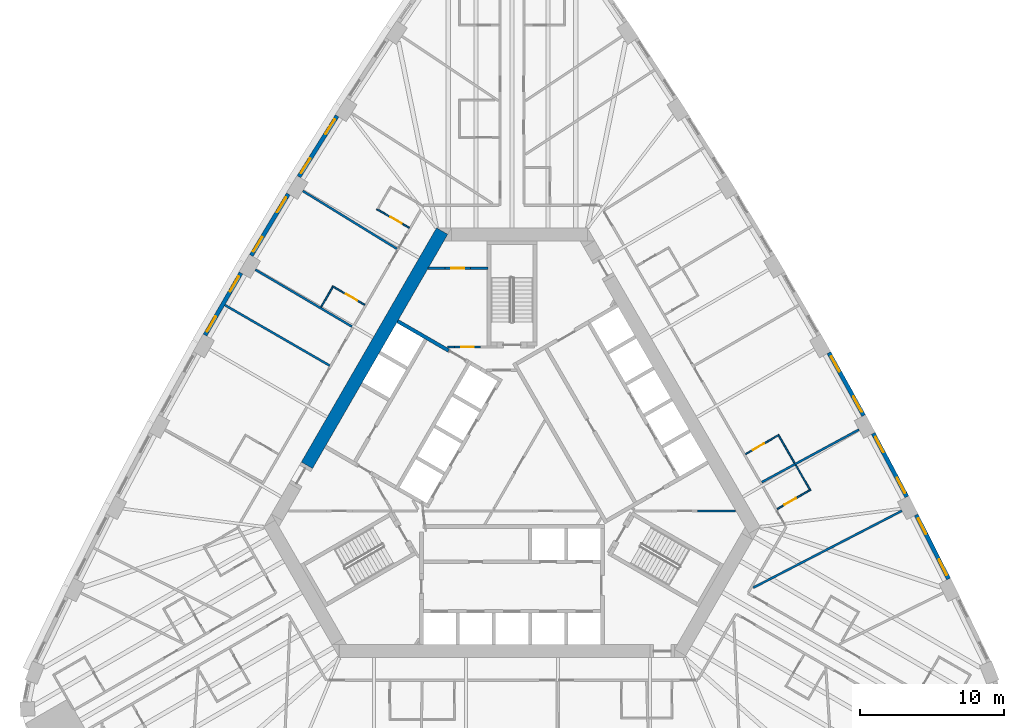
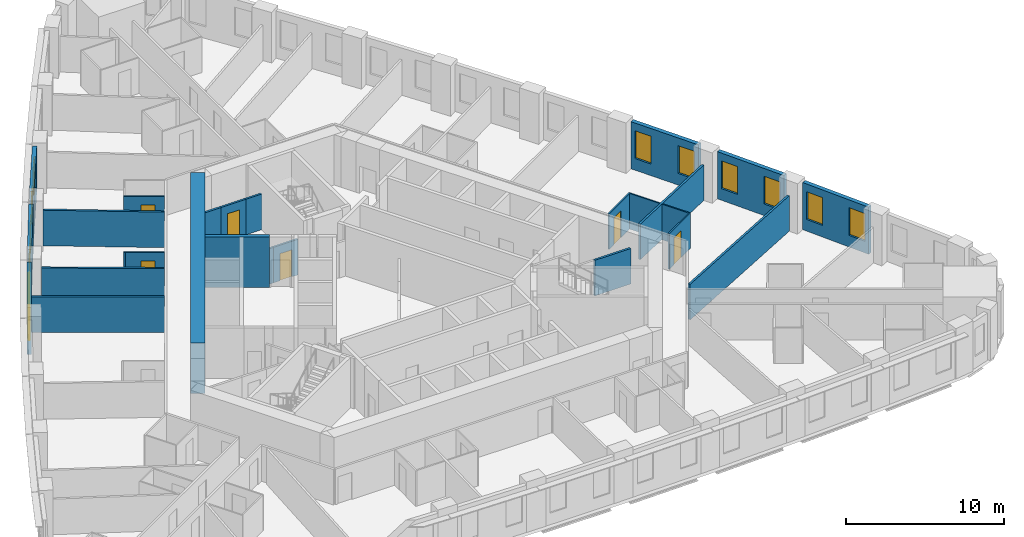
# One storey, part 9 of 13: 26 walls, 12 windows, 6 doors, 18 openings.
"""IFC4 building model written with IfcOpenShell, lengths in metres."""

from ifc_helpers import new_model, si_unit, direction, frame, frame_2d, origin, place, context, subcontext, project, spatial, rectangle, extrude, material, layer, layer_set, type_object, element, fill, save


model = new_model("IFC4")

# Units and contexts
model_context = context("Model", 3, precision=1e-05, world=origin(), true_north=direction((0.0, 1.0)))
body_context = subcontext(model_context, "Body", "Model", "MODEL_VIEW")
ifc_project = project(units=[si_unit("LENGTHUNIT", "METRE"), si_unit("AREAUNIT", "SQUARE_METRE"), si_unit("VOLUMEUNIT", "CUBIC_METRE"), si_unit("PLANEANGLEUNIT", "RADIAN"), si_unit("MASSUNIT", "GRAM", prefix="KILO")], contexts=[model_context])

# Site, building, storey
site_placement = place(None, origin())
site = spatial("IfcSite", under=ifc_project, at=site_placement, CompositionType="ELEMENT")
building_placement = place(site_placement, origin())
building = spatial("IfcBuilding", under=site, at=building_placement, Name="Mestral Congress Tower", CompositionType="ELEMENT")
storey_placement = place(building_placement, frame((0.0, 0.0, 58.800048828125)))
storey = spatial("IfcBuildingStorey", under=building, at=storey_placement, Name="L13", CompositionType="ELEMENT", Elevation=58.800048828125)

# Walls
ifc_material_1 = material(Name="Fire-rated board partition")
ifc_layer_1 = layer(ifc_material_1, 0.14990234375)
ifc_layer_set_1 = layer_set([ifc_layer_1], Name="Fire-rated board partition")
wall_type_1 = type_object("IfcWallType", Name="Core partition 150", PredefinedType="PARTITIONING", material=ifc_layer_set_1)
wall_1_placement = place(storey_placement, frame((-3.99658203125, 8.625244140625, 0.0), z_axis=(0.0, 0.0, 1.0), x_axis=(-1.0, 0.0, 0.0)))
element("IfcWall", 1, at=wall_1_placement, inside=storey, type_object=wall_type_1, Name="L13 core wall", PredefinedType="PARTITIONING", context=body_context, shape_type="SweptSolid", body=[
    extrude(rectangle(XDim=0.502197265625, YDim=0.14990234375, at=frame_2d((0.2509765625, 0.0))), origin(), (0.0, 0.0, 1.0), 2.75),
])
wall_2_placement = place(storey_placement, frame((-5.85107421875, 14.10205078125, 0.0), z_axis=(0.0, 0.0, 1.0), x_axis=(1.0, 0.0, 0.0)))
element("IfcWall", 2, at=wall_2_placement, inside=storey, type_object=wall_type_1, Name="L13 core wall", PredefinedType="PARTITIONING", context=body_context, shape_type="SweptSolid", body=[
    extrude(rectangle(XDim=1.18017578125, YDim=0.14990234375, at=frame_2d((0.590087890625, 0.0))), origin(), (0.0, 0.0, 1.0), 2.75),
])
wall_3_placement = place(storey_placement, frame((12.914794921875, -2.800048828125, 0.0), z_axis=(0.0, 0.0, 1.0), x_axis=(1.0, 0.0, 0.0)))
element("IfcWall", 3, at=wall_3_placement, inside=storey, type_object=wall_type_1, Name="L13 core wall", PredefinedType="PARTITIONING", context=body_context, shape_type="SweptSolid", body=[
    extrude(rectangle(XDim=2.636962890625, YDim=0.14990234375, at=frame_2d((1.318359375, 0.0))), origin(), (0.0, 0.0, 1.0), 2.75),
])
wall_4_placement = place(storey_placement, frame((-2.87060546875, 14.10205078125, 0.0), z_axis=(0.0, 0.0, 1.0), x_axis=(1.0, 0.0, 0.0)))
element("IfcWall", 4, at=wall_4_placement, inside=storey, type_object=wall_type_1, Name="L13 core wall", PredefinedType="PARTITIONING", context=body_context, shape_type="SweptSolid", body=[
    extrude(rectangle(XDim=1.195556640625, YDim=0.14990234375, at=frame_2d((0.59765625, 0.0))), origin(), (0.0, 0.0, 1.0), 2.75),
])

# Wall, opening, door
wall_5_placement = place(storey_placement, frame((-2.1962890625, 8.625, 0.0), z_axis=(0.0, 0.0, 1.0), x_axis=(-1.0, 0.0, 0.0)))
wall_5 = element("IfcWall", 5, at=wall_5_placement, inside=storey, type_object=wall_type_1, Name="L13 door wall", PredefinedType="PARTITIONING", context=body_context, shape_type="SweptSolid", body=[
    extrude(rectangle(XDim=1.800048828125, YDim=0.14990234375, at=frame_2d((0.89990234375, 0.0))), origin(), (0.0, 0.0, 1.0), 2.75),
])
opening_1_placement = place(wall_5_placement, frame((0.449951171875, 0.0, 0.0)))
opening_1 = element("IfcOpeningElement", 6, at=opening_1_placement, cuts=wall_5, Name="Opening TD2", PredefinedType="OPENING", context=body_context, shape_type="SweptSolid", body=[
    extrude(rectangle(XDim=0.89990234375, YDim=2.10009765625, at=frame_2d((0.449951171875, 1.050048828125))), frame((0.0, 0.0849609375, 0.0), z_axis=(0.0, -1.0, 0.0), x_axis=(1.0, 0.0, 0.0)), (0.0, 0.0, 1.0), 0.169921875),
])
ifc_material_2 = material(Name="Fire-rated steel door set", Category="steel")
door_type_1 = type_object("IfcDoorType", Name="Core door SR 900x2100", OperationType="SINGLE_SWING_LEFT", PredefinedType="DOOR", material=ifc_material_2)
door_1_placement = place(opening_1_placement, origin())
door_1 = element("IfcDoor", 7, at=door_1_placement, inside=storey, type_object=door_type_1, Name="Door TD2", OperationType="SINGLE_SWING_LEFT", OverallHeight=2.10009765625, OverallWidth=0.89990234375, PredefinedType="DOOR", context=body_context, shape_type="SweptSolid", body=[
    extrude(rectangle(XDim=0.89990234375, YDim=2.10009765625, at=frame_2d((0.449951171875, 1.050048828125))), frame((0.0, 0.02490234375, 0.0), z_axis=(0.0, -1.0, 0.0), x_axis=(1.0, 0.0, 0.0)), (0.0, 0.0, 1.0), 0.050048828125),
])
fill(opening_1, door_1)

wall_6_placement = place(storey_placement, frame((-2.870849609375, 14.10205078125, 0.0), z_axis=(0.0, 0.0, 1.0), x_axis=(-1.0, 0.0, 0.0)))
wall_6 = element("IfcWall", 8, at=wall_6_placement, inside=storey, type_object=wall_type_1, Name="L13 door wall", PredefinedType="PARTITIONING", context=body_context, shape_type="SweptSolid", body=[
    extrude(rectangle(XDim=1.800048828125, YDim=0.14990234375, at=frame_2d((0.89990234375, 0.0))), origin(), (0.0, 0.0, 1.0), 2.75),
])
opening_2_placement = place(wall_6_placement, frame((0.449951171875, 0.0, 0.0)))
opening_2 = element("IfcOpeningElement", 9, at=opening_2_placement, cuts=wall_6, Name="Opening SD-WS2", PredefinedType="OPENING", context=body_context, shape_type="SweptSolid", body=[
    extrude(rectangle(XDim=0.89990234375, YDim=2.10009765625, at=frame_2d((0.449951171875, 1.050048828125))), frame((0.0, 0.0849609375, 0.0), z_axis=(0.0, -1.0, 0.0), x_axis=(1.0, 0.0, 0.0)), (0.0, 0.0, 1.0), 0.169921875),
])
door_2_placement = place(opening_2_placement, origin())
door_2 = element("IfcDoor", 10, at=door_2_placement, inside=storey, type_object=door_type_1, Name="Door SD-WS2", OperationType="SINGLE_SWING_LEFT", OverallHeight=2.10009765625, OverallWidth=0.89990234375, PredefinedType="DOOR", context=body_context, shape_type="SweptSolid", body=[
    extrude(rectangle(XDim=0.89990234375, YDim=2.10009765625, at=frame_2d((0.449951171875, 1.050048828125))), frame((0.0, 0.02490234375, 0.0), z_axis=(0.0, -1.0, 0.0), x_axis=(1.0, 0.0, 0.0)), (0.0, 0.0, 1.0), 0.050048828125),
])
fill(opening_2, door_2)

# Wall
ifc_material_3 = material(Name="Concrete C60/75", Category="concrete")
ifc_layer_2 = layer(ifc_material_3, 0.89990234375)
ifc_layer_set_2 = layer_set([ifc_layer_2], Name="Concrete C60/75")
wall_type_2 = type_object("IfcWallType", Name="Core wall RC 900", PredefinedType="SOLIDWALL", material=ifc_layer_set_2)
wall_7_placement = place(storey_placement, frame((-14.267822265625, 0.38720703125, 0.0), z_axis=(0.0, 0.0, 1.0), x_axis=(0.499994617707, 0.866028511231, 0.0)))
element("IfcWall", 11, at=wall_7_placement, inside=storey, type_object=wall_type_2, Name="L13 core wall", PredefinedType="SOLIDWALL", context=body_context, shape_type="SweptSolid", body=[
    extrude(rectangle(XDim=18.817138671875, YDim=0.89990234375, at=frame_2d((9.40869140625, 0.0))), origin(), (0.0, 0.0, 1.0), 3.89990234375),
])

# Wall, openings, windows
ifc_material_4 = material(Name="Precast concrete C40/50 with limestone facing", Category="masonry")
ifc_layer_3 = layer(ifc_material_4, 0.2900390625)
ifc_layer_set_3 = layer_set([ifc_layer_3], Name="Precast concrete C40/50 with limestone facing")
wall_type_3 = type_object("IfcWallType", Name="Facade stone wall 290", PredefinedType="SOLIDWALL", material=ifc_layer_set_3)
wall_8_placement = place(storey_placement, frame((30.376953125, -7.5205078125, 0.0), z_axis=(0.0, 0.0, 1.0), x_axis=(-0.451233929645, 0.892405704115, 0.0)))
wall_8 = element("IfcWall", 12, at=wall_8_placement, inside=storey, type_object=wall_type_3, Name="Facade wall F1-01", PredefinedType="SOLIDWALL", context=body_context, shape_type="SweptSolid", body=[
    extrude(rectangle(XDim=4.998291015625, YDim=0.2900390625, at=frame_2d((2.4990234375, 0.0))), origin(), (0.0, 0.0, 1.0), 3.64990234375),
])
opening_3_placement = place(wall_8_placement, frame((0.297119140625, 0.0, 0.89990234375)))
opening_3 = element("IfcOpeningElement", 13, at=opening_3_placement, cuts=wall_8, Name="Opening W1", PredefinedType="OPENING", context=body_context, shape_type="SweptSolid", body=[
    extrude(rectangle(XDim=1.199951171875, YDim=2.14990234375, at=frame_2d((0.60009765625, 1.074951171875))), frame((0.0, 0.155029296875, 0.0), z_axis=(0.0, -1.0, 0.0), x_axis=(1.0, 0.0, 0.0)), (0.0, 0.0, 1.0), 0.31005859375),
])
opening_4_placement = place(wall_8_placement, frame((3.501220703125, 0.0, 0.89990234375)))
opening_4 = element("IfcOpeningElement", 14, at=opening_4_placement, cuts=wall_8, Name="Opening W1", PredefinedType="OPENING", context=body_context, shape_type="SweptSolid", body=[
    extrude(rectangle(XDim=1.199951171875, YDim=2.14990234375, at=frame_2d((0.60009765625, 1.074951171875))), frame((0.0, 0.155029296875, 0.0), z_axis=(0.0, -1.0, 0.0), x_axis=(1.0, 0.0, 0.0)), (0.0, 0.0, 1.0), 0.31005859375),
])
ifc_material_5 = material(Name="Clear low-emissivity double glazing", Category="glass")
window_type = type_object("IfcWindowType", Name="Facade punched window 1200 x 2150 sill 900", PartitioningType="DOUBLE_PANEL_VERTICAL", PredefinedType="WINDOW", material=ifc_material_5)
window_1_placement = place(opening_3_placement, origin())
window_1 = element("IfcWindow", 15, at=window_1_placement, inside=storey, type_object=window_type, Name="Window F1-01a", OverallHeight=2.14990234375, OverallWidth=1.199951171875, PartitioningType="DOUBLE_PANEL_VERTICAL", PredefinedType="WINDOW", context=body_context, shape_type="SweptSolid", body=[
    extrude(rectangle(XDim=1.199951171875, YDim=2.14990234375, at=frame_2d((0.60009765625, 1.074951171875))), frame((0.0, 0.01513671875, 0.0), z_axis=(0.0, -1.0, 0.0), x_axis=(1.0, 0.0, 0.0)), (0.0, 0.0, 1.0), 0.06005859375),
])
fill(opening_3, window_1)
window_2_placement = place(opening_4_placement, origin())
window_2 = element("IfcWindow", 16, at=window_2_placement, inside=storey, type_object=window_type, Name="Window F1-01b", OverallHeight=2.14990234375, OverallWidth=1.199951171875, PartitioningType="DOUBLE_PANEL_VERTICAL", PredefinedType="WINDOW", context=body_context, shape_type="SweptSolid", body=[
    extrude(rectangle(XDim=1.199951171875, YDim=2.14990234375, at=frame_2d((0.60009765625, 1.074951171875))), frame((0.0, 0.01513671875, 0.0), z_axis=(0.0, -1.0, 0.0), x_axis=(1.0, 0.0, 0.0)), (0.0, 0.0, 1.0), 0.06005859375),
])
fill(opening_4, window_2)

wall_9_placement = place(storey_placement, frame((27.47509765625, -1.810302734375, 0.0), z_axis=(0.0, 0.0, 1.0), x_axis=(-0.467629620899, 0.883924509026, 0.0)))
wall_9 = element("IfcWall", 17, at=wall_9_placement, inside=storey, type_object=wall_type_3, Name="Facade wall F1-02", PredefinedType="SOLIDWALL", context=body_context, shape_type="SweptSolid", body=[
    extrude(rectangle(XDim=4.998291015625, YDim=0.2900390625, at=frame_2d((2.4990234375, 0.0))), origin(), (0.0, 0.0, 1.0), 3.64990234375),
])
opening_5_placement = place(wall_9_placement, frame((0.297119140625, 0.0, 0.89990234375)))
opening_5 = element("IfcOpeningElement", 18, at=opening_5_placement, cuts=wall_9, Name="Opening W1", PredefinedType="OPENING", context=body_context, shape_type="SweptSolid", body=[
    extrude(rectangle(XDim=1.199951171875, YDim=2.14990234375, at=frame_2d((0.60009765625, 1.074951171875))), frame((0.0, 0.155029296875, 0.0), z_axis=(0.0, -1.0, 0.0), x_axis=(1.0, 0.0, 0.0)), (0.0, 0.0, 1.0), 0.31005859375),
])
opening_6_placement = place(wall_9_placement, frame((3.501220703125, 0.0, 0.89990234375)))
opening_6 = element("IfcOpeningElement", 19, at=opening_6_placement, cuts=wall_9, Name="Opening W1", PredefinedType="OPENING", context=body_context, shape_type="SweptSolid", body=[
    extrude(rectangle(XDim=1.199951171875, YDim=2.14990234375, at=frame_2d((0.60009765625, 1.074951171875))), frame((0.0, 0.155029296875, 0.0), z_axis=(0.0, -1.0, 0.0), x_axis=(1.0, 0.0, 0.0)), (0.0, 0.0, 1.0), 0.31005859375),
])
window_3_placement = place(opening_5_placement, origin())
window_3 = element("IfcWindow", 20, at=window_3_placement, inside=storey, type_object=window_type, Name="Window F1-02a", OverallHeight=2.14990234375, OverallWidth=1.199951171875, PartitioningType="DOUBLE_PANEL_VERTICAL", PredefinedType="WINDOW", context=body_context, shape_type="SweptSolid", body=[
    extrude(rectangle(XDim=1.199951171875, YDim=2.14990234375, at=frame_2d((0.60009765625, 1.074951171875))), frame((0.0, 0.01513671875, 0.0), z_axis=(0.0, -1.0, 0.0), x_axis=(1.0, 0.0, 0.0)), (0.0, 0.0, 1.0), 0.06005859375),
])
fill(opening_5, window_3)
window_4_placement = place(opening_6_placement, origin())
window_4 = element("IfcWindow", 21, at=window_4_placement, inside=storey, type_object=window_type, Name="Window F1-02b", OverallHeight=2.14990234375, OverallWidth=1.199951171875, PartitioningType="DOUBLE_PANEL_VERTICAL", PredefinedType="WINDOW", context=body_context, shape_type="SweptSolid", body=[
    extrude(rectangle(XDim=1.199951171875, YDim=2.14990234375, at=frame_2d((0.60009765625, 1.074951171875))), frame((0.0, 0.01513671875, 0.0), z_axis=(0.0, -1.0, 0.0), x_axis=(1.0, 0.0, 0.0)), (0.0, 0.0, 1.0), 0.06005859375),
])
fill(opening_6, window_4)

wall_10_placement = place(storey_placement, frame((24.46826171875, 3.845703125, 0.0), z_axis=(0.0, 0.0, 1.0), x_axis=(-0.483912572871, 0.875116347589, 0.0)))
wall_10 = element("IfcWall", 22, at=wall_10_placement, inside=storey, type_object=wall_type_3, Name="Facade wall F1-03", PredefinedType="SOLIDWALL", context=body_context, shape_type="SweptSolid", body=[
    extrude(rectangle(XDim=4.998291015625, YDim=0.2900390625, at=frame_2d((2.4990234375, 0.0))), origin(), (0.0, 0.0, 1.0), 3.64990234375),
])
opening_7_placement = place(wall_10_placement, frame((0.297119140625, 0.0, 0.89990234375)))
opening_7 = element("IfcOpeningElement", 23, at=opening_7_placement, cuts=wall_10, Name="Opening W1", PredefinedType="OPENING", context=body_context, shape_type="SweptSolid", body=[
    extrude(rectangle(XDim=1.199951171875, YDim=2.14990234375, at=frame_2d((0.60009765625, 1.074951171875))), frame((0.0, 0.155029296875, 0.0), z_axis=(0.0, -1.0, 0.0), x_axis=(1.0, 0.0, 0.0)), (0.0, 0.0, 1.0), 0.31005859375),
])
opening_8_placement = place(wall_10_placement, frame((3.501220703125, 0.0, 0.89990234375)))
opening_8 = element("IfcOpeningElement", 24, at=opening_8_placement, cuts=wall_10, Name="Opening W1", PredefinedType="OPENING", context=body_context, shape_type="SweptSolid", body=[
    extrude(rectangle(XDim=1.199951171875, YDim=2.14990234375, at=frame_2d((0.60009765625, 1.074951171875))), frame((0.0, 0.155029296875, 0.0), z_axis=(0.0, -1.0, 0.0), x_axis=(1.0, 0.0, 0.0)), (0.0, 0.0, 1.0), 0.31005859375),
])
window_5_placement = place(opening_7_placement, origin())
window_5 = element("IfcWindow", 25, at=window_5_placement, inside=storey, type_object=window_type, Name="Window F1-03a", OverallHeight=2.14990234375, OverallWidth=1.199951171875, PartitioningType="DOUBLE_PANEL_VERTICAL", PredefinedType="WINDOW", context=body_context, shape_type="SweptSolid", body=[
    extrude(rectangle(XDim=1.199951171875, YDim=2.14990234375, at=frame_2d((0.60009765625, 1.074951171875))), frame((0.0, 0.01513671875, 0.0), z_axis=(0.0, -1.0, 0.0), x_axis=(1.0, 0.0, 0.0)), (0.0, 0.0, 1.0), 0.06005859375),
])
fill(opening_7, window_5)
window_6_placement = place(opening_8_placement, origin())
window_6 = element("IfcWindow", 26, at=window_6_placement, inside=storey, type_object=window_type, Name="Window F1-03b", OverallHeight=2.14990234375, OverallWidth=1.199951171875, PartitioningType="DOUBLE_PANEL_VERTICAL", PredefinedType="WINDOW", context=body_context, shape_type="SweptSolid", body=[
    extrude(rectangle(XDim=1.199951171875, YDim=2.14990234375, at=frame_2d((0.60009765625, 1.074951171875))), frame((0.0, 0.01513671875, 0.0), z_axis=(0.0, -1.0, 0.0), x_axis=(1.0, 0.0, 0.0)), (0.0, 0.0, 1.0), 0.06005859375),
])
fill(opening_8, window_6)

wall_11_placement = place(storey_placement, frame((-12.169921875, 24.69921875, 0.0), z_axis=(0.0, 0.0, 1.0), x_axis=(-0.531688286542, -0.846940119462, 0.0)))
wall_11 = element("IfcWall", 27, at=wall_11_placement, inside=storey, type_object=wall_type_3, Name="Facade wall F2-02", PredefinedType="SOLIDWALL", context=body_context, shape_type="SweptSolid", body=[
    extrude(rectangle(XDim=4.998291015625, YDim=0.2900390625, at=frame_2d((2.4990234375, 0.0))), origin(), (0.0, 0.0, 1.0), 3.64990234375),
])
opening_9_placement = place(wall_11_placement, frame((0.297119140625, 0.0, 0.89990234375)))
opening_9 = element("IfcOpeningElement", 28, at=opening_9_placement, cuts=wall_11, Name="Opening W1", PredefinedType="OPENING", context=body_context, shape_type="SweptSolid", body=[
    extrude(rectangle(XDim=1.199951171875, YDim=2.14990234375, at=frame_2d((0.60009765625, 1.074951171875))), frame((0.0, 0.155029296875, 0.0), z_axis=(0.0, -1.0, 0.0), x_axis=(1.0, 0.0, 0.0)), (0.0, 0.0, 1.0), 0.31005859375),
])
opening_10_placement = place(wall_11_placement, frame((3.501220703125, 0.0, 0.89990234375)))
opening_10 = element("IfcOpeningElement", 29, at=opening_10_placement, cuts=wall_11, Name="Opening W1", PredefinedType="OPENING", context=body_context, shape_type="SweptSolid", body=[
    extrude(rectangle(XDim=1.199951171875, YDim=2.14990234375, at=frame_2d((0.60009765625, 1.074951171875))), frame((0.0, 0.155029296875, 0.0), z_axis=(0.0, -1.0, 0.0), x_axis=(1.0, 0.0, 0.0)), (0.0, 0.0, 1.0), 0.31005859375),
])
window_7_placement = place(opening_9_placement, origin())
window_7 = element("IfcWindow", 30, at=window_7_placement, inside=storey, type_object=window_type, Name="Window F2-02a", OverallHeight=2.14990234375, OverallWidth=1.199951171875, PartitioningType="DOUBLE_PANEL_VERTICAL", PredefinedType="WINDOW", context=body_context, shape_type="SweptSolid", body=[
    extrude(rectangle(XDim=1.199951171875, YDim=2.14990234375, at=frame_2d((0.60009765625, 1.074951171875))), frame((0.0, 0.01513671875, 0.0), z_axis=(0.0, -1.0, 0.0), x_axis=(1.0, 0.0, 0.0)), (0.0, 0.0, 1.0), 0.06005859375),
])
fill(opening_9, window_7)
window_8_placement = place(opening_10_placement, origin())
window_8 = element("IfcWindow", 31, at=window_8_placement, inside=storey, type_object=window_type, Name="Window F2-02b", OverallHeight=2.14990234375, OverallWidth=1.199951171875, PartitioningType="DOUBLE_PANEL_VERTICAL", PredefinedType="WINDOW", context=body_context, shape_type="SweptSolid", body=[
    extrude(rectangle(XDim=1.199951171875, YDim=2.14990234375, at=frame_2d((0.60009765625, 1.074951171875))), frame((0.0, 0.01513671875, 0.0), z_axis=(0.0, -1.0, 0.0), x_axis=(1.0, 0.0, 0.0)), (0.0, 0.0, 1.0), 0.06005859375),
])
fill(opening_10, window_8)

wall_12_placement = place(storey_placement, frame((-15.564453125, 19.267333984375, 0.0), z_axis=(0.0, 0.0, 1.0), x_axis=(-0.515938796285, -0.856625448191, 0.0)))
wall_12 = element("IfcWall", 32, at=wall_12_placement, inside=storey, type_object=wall_type_3, Name="Facade wall F2-03", PredefinedType="SOLIDWALL", context=body_context, shape_type="SweptSolid", body=[
    extrude(rectangle(XDim=4.998291015625, YDim=0.2900390625, at=frame_2d((2.4990234375, 0.0))), origin(), (0.0, 0.0, 1.0), 3.64990234375),
])
opening_11_placement = place(wall_12_placement, frame((0.297119140625, 0.0, 0.89990234375)))
opening_11 = element("IfcOpeningElement", 33, at=opening_11_placement, cuts=wall_12, Name="Opening W1", PredefinedType="OPENING", context=body_context, shape_type="SweptSolid", body=[
    extrude(rectangle(XDim=1.199951171875, YDim=2.14990234375, at=frame_2d((0.60009765625, 1.074951171875))), frame((0.0, 0.155029296875, 0.0), z_axis=(0.0, -1.0, 0.0), x_axis=(1.0, 0.0, 0.0)), (0.0, 0.0, 1.0), 0.31005859375),
])
opening_12_placement = place(wall_12_placement, frame((3.501220703125, 0.0, 0.89990234375)))
opening_12 = element("IfcOpeningElement", 34, at=opening_12_placement, cuts=wall_12, Name="Opening W1", PredefinedType="OPENING", context=body_context, shape_type="SweptSolid", body=[
    extrude(rectangle(XDim=1.199951171875, YDim=2.14990234375, at=frame_2d((0.60009765625, 1.074951171875))), frame((0.0, 0.155029296875, 0.0), z_axis=(0.0, -1.0, 0.0), x_axis=(1.0, 0.0, 0.0)), (0.0, 0.0, 1.0), 0.31005859375),
])
window_9_placement = place(opening_11_placement, origin())
window_9 = element("IfcWindow", 35, at=window_9_placement, inside=storey, type_object=window_type, Name="Window F2-03a", OverallHeight=2.14990234375, OverallWidth=1.199951171875, PartitioningType="DOUBLE_PANEL_VERTICAL", PredefinedType="WINDOW", context=body_context, shape_type="SweptSolid", body=[
    extrude(rectangle(XDim=1.199951171875, YDim=2.14990234375, at=frame_2d((0.60009765625, 1.074951171875))), frame((0.0, 0.01513671875, 0.0), z_axis=(0.0, -1.0, 0.0), x_axis=(1.0, 0.0, 0.0)), (0.0, 0.0, 1.0), 0.06005859375),
])
fill(opening_11, window_9)
window_10_placement = place(opening_12_placement, origin())
window_10 = element("IfcWindow", 36, at=window_10_placement, inside=storey, type_object=window_type, Name="Window F2-03b", OverallHeight=2.14990234375, OverallWidth=1.199951171875, PartitioningType="DOUBLE_PANEL_VERTICAL", PredefinedType="WINDOW", context=body_context, shape_type="SweptSolid", body=[
    extrude(rectangle(XDim=1.199951171875, YDim=2.14990234375, at=frame_2d((0.60009765625, 1.074951171875))), frame((0.0, 0.01513671875, 0.0), z_axis=(0.0, -1.0, 0.0), x_axis=(1.0, 0.0, 0.0)), (0.0, 0.0, 1.0), 0.06005859375),
])
fill(opening_12, window_10)

wall_13_placement = place(storey_placement, frame((-18.85791015625, 13.7734375, 0.0), z_axis=(0.0, 0.0, 1.0), x_axis=(-0.50002123722, -0.866013142123, 0.0)))
wall_13 = element("IfcWall", 37, at=wall_13_placement, inside=storey, type_object=wall_type_3, Name="Facade wall F2-04", PredefinedType="SOLIDWALL", context=body_context, shape_type="SweptSolid", body=[
    extrude(rectangle(XDim=4.998291015625, YDim=0.2900390625, at=frame_2d((2.4990234375, 0.0))), origin(), (0.0, 0.0, 1.0), 3.64990234375),
])
opening_13_placement = place(wall_13_placement, frame((0.297119140625, 0.0, 0.89990234375)))
opening_13 = element("IfcOpeningElement", 38, at=opening_13_placement, cuts=wall_13, Name="Opening W1", PredefinedType="OPENING", context=body_context, shape_type="SweptSolid", body=[
    extrude(rectangle(XDim=1.199951171875, YDim=2.14990234375, at=frame_2d((0.60009765625, 1.074951171875))), frame((0.0, 0.155029296875, 0.0), z_axis=(0.0, -1.0, 0.0), x_axis=(1.0, 0.0, 0.0)), (0.0, 0.0, 1.0), 0.31005859375),
])
opening_14_placement = place(wall_13_placement, frame((3.501220703125, 0.0, 0.89990234375)))
opening_14 = element("IfcOpeningElement", 39, at=opening_14_placement, cuts=wall_13, Name="Opening W1", PredefinedType="OPENING", context=body_context, shape_type="SweptSolid", body=[
    extrude(rectangle(XDim=1.199951171875, YDim=2.14990234375, at=frame_2d((0.60009765625, 1.074951171875))), frame((0.0, 0.155029296875, 0.0), z_axis=(0.0, -1.0, 0.0), x_axis=(1.0, 0.0, 0.0)), (0.0, 0.0, 1.0), 0.31005859375),
])
window_11_placement = place(opening_13_placement, origin())
window_11 = element("IfcWindow", 40, at=window_11_placement, inside=storey, type_object=window_type, Name="Window F2-04a", OverallHeight=2.14990234375, OverallWidth=1.199951171875, PartitioningType="DOUBLE_PANEL_VERTICAL", PredefinedType="WINDOW", context=body_context, shape_type="SweptSolid", body=[
    extrude(rectangle(XDim=1.199951171875, YDim=2.14990234375, at=frame_2d((0.60009765625, 1.074951171875))), frame((0.0, 0.01513671875, 0.0), z_axis=(0.0, -1.0, 0.0), x_axis=(1.0, 0.0, 0.0)), (0.0, 0.0, 1.0), 0.06005859375),
])
fill(opening_13, window_11)
window_12_placement = place(opening_14_placement, origin())
window_12 = element("IfcWindow", 41, at=window_12_placement, inside=storey, type_object=window_type, Name="Window F2-04b", OverallHeight=2.14990234375, OverallWidth=1.199951171875, PartitioningType="DOUBLE_PANEL_VERTICAL", PredefinedType="WINDOW", context=body_context, shape_type="SweptSolid", body=[
    extrude(rectangle(XDim=1.199951171875, YDim=2.14990234375, at=frame_2d((0.60009765625, 1.074951171875))), frame((0.0, 0.01513671875, 0.0), z_axis=(0.0, -1.0, 0.0), x_axis=(1.0, 0.0, 0.0)), (0.0, 0.0, 1.0), 0.06005859375),
])
fill(opening_14, window_12)

# Wall, opening, door
ifc_material_6 = material(Name="Gypsum board partition on metal studs with mineral wool", Category="composite")
ifc_layer_4 = layer(ifc_material_6, 0.10009765625)
ifc_layer_set_4 = layer_set([ifc_layer_4], Name="Gypsum board partition on metal studs with mineral wool")
wall_type_4 = type_object("IfcWallType", Name="Hotel partition wall 100", PredefinedType="PARTITIONING", material=ifc_layer_set_4)
wall_14_placement = place(storey_placement, frame((18.45068359375, -2.657470703125, 0.0), z_axis=(0.0, 0.0, 1.0), x_axis=(0.86599734893, 0.500048589285, 0.0)))
wall_14 = element("IfcWall", 42, at=wall_14_placement, inside=storey, type_object=wall_type_4, Name="L13-h-pod11a", PredefinedType="PARTITIONING", context=body_context, shape_type="SweptSolid", body=[
    extrude(rectangle(XDim=2.699951171875, YDim=0.10009765625, at=frame_2d((1.35009765625, 0.0))), origin(), (0.0, 0.0, 1.0), 2.75),
])
opening_15_placement = place(wall_14_placement, frame((0.60009765625, 0.0, 0.0)))
opening_15 = element("IfcOpeningElement", 43, at=opening_15_placement, cuts=wall_14, Name="Opening H03-022", PredefinedType="OPENING", context=body_context, shape_type="SweptSolid", body=[
    extrude(rectangle(XDim=0.89990234375, YDim=2.10009765625, at=frame_2d((0.449951171875, 1.050048828125))), frame((0.0, 0.06005859375, 0.0), z_axis=(0.0, -1.0, 0.0), x_axis=(1.0, 0.0, 0.0)), (0.0, 0.0, 1.0), 0.1201171875),
])
ifc_material_7 = material(Name="Timber veneer door leaf in timber frame", Category="wood")
door_type_2 = type_object("IfcDoorType", Name="Bathroom door 900", OperationType="SINGLE_SWING_LEFT", PredefinedType="DOOR", material=ifc_material_7)
door_3_placement = place(opening_15_placement, origin())
door_3 = element("IfcDoor", 44, at=door_3_placement, inside=storey, type_object=door_type_2, Name="L13-h-d022", OperationType="SINGLE_SWING_LEFT", OverallHeight=2.10009765625, OverallWidth=0.89990234375, PredefinedType="DOOR", context=body_context, shape_type="SweptSolid", body=[
    extrude(rectangle(XDim=0.89990234375, YDim=2.10009765625, at=frame_2d((0.449951171875, 1.050048828125))), frame((0.0, 0.02490234375, 0.0), z_axis=(0.0, -1.0, 0.0), x_axis=(1.0, 0.0, 0.0)), (0.0, 0.0, 1.0), 0.050048828125),
])
fill(opening_15, door_3)

# Wall
wall_15_placement = place(storey_placement, frame((20.715576171875, -1.280517578125, 0.0), z_axis=(0.0, 0.0, 1.0), x_axis=(-0.499969367985, 0.866043088465, 0.0)))
element("IfcWall", 45, at=wall_15_placement, inside=storey, type_object=wall_type_4, Name="L13-h-pod11b", PredefinedType="PARTITIONING", context=body_context, shape_type="SweptSolid", body=[
    extrude(rectangle(XDim=1.93994140625, YDim=0.10009765625, at=frame_2d((0.969970703125, 0.0))), origin(), (0.0, 0.0, 1.0), 2.75),
])

# Wall, opening, door
wall_16_placement = place(storey_placement, frame((18.585693359375, 2.5087890625, 0.0), z_axis=(0.0, 0.0, 1.0), x_axis=(-0.866059108428, -0.4999416173, 0.0)))
wall_16 = element("IfcWall", 46, at=wall_16_placement, inside=storey, type_object=wall_type_4, Name="L13-h-pod12a", PredefinedType="PARTITIONING", context=body_context, shape_type="SweptSolid", body=[
    extrude(rectangle(XDim=2.699951171875, YDim=0.10009765625, at=frame_2d((1.35009765625, 0.0))), origin(), (0.0, 0.0, 1.0), 2.75),
])
opening_16_placement = place(wall_16_placement, frame((1.199951171875, 0.0, 0.0)))
opening_16 = element("IfcOpeningElement", 47, at=opening_16_placement, cuts=wall_16, Name="Opening H03-024", PredefinedType="OPENING", context=body_context, shape_type="SweptSolid", body=[
    extrude(rectangle(XDim=0.89990234375, YDim=2.10009765625, at=frame_2d((0.449951171875, 1.050048828125))), frame((0.0, 0.06005859375, 0.0), z_axis=(0.0, -1.0, 0.0), x_axis=(1.0, 0.0, 0.0)), (0.0, 0.0, 1.0), 0.1201171875),
])
door_4_placement = place(opening_16_placement, origin())
door_4 = element("IfcDoor", 48, at=door_4_placement, inside=storey, type_object=door_type_2, Name="L13-h-d024", OperationType="SINGLE_SWING_RIGHT", OverallHeight=2.10009765625, OverallWidth=0.89990234375, PredefinedType="DOOR", context=body_context, shape_type="SweptSolid", body=[
    extrude(rectangle(XDim=0.89990234375, YDim=2.10009765625, at=frame_2d((0.449951171875, 1.050048828125))), frame((0.0, 0.02490234375, 0.0), z_axis=(0.0, -1.0, 0.0), x_axis=(1.0, 0.0, 0.0)), (0.0, 0.0, 1.0), 0.050048828125),
])
fill(opening_16, door_4)

# Wall
wall_17_placement = place(storey_placement, frame((18.5673828125, 2.440673828125, 0.0), z_axis=(0.0, 0.0, 1.0), x_axis=(0.499946605688, -0.86605622881, 0.0)))
element("IfcWall", 49, at=wall_17_placement, inside=storey, type_object=wall_type_4, Name="L13-h-pod12b", PredefinedType="PARTITIONING", context=body_context, shape_type="SweptSolid", body=[
    extrude(rectangle(XDim=2.199951171875, YDim=0.10009765625, at=frame_2d((1.10009765625, 0.0))), origin(), (0.0, 0.0, 1.0), 2.75),
])

# Wall, opening, door
wall_18_placement = place(storey_placement, frame((-9.40478515625, 18.21044921875, 0.0), z_axis=(0.0, 0.0, 1.0), x_axis=(0.865997922154, -0.500047596559, 0.0)))
wall_18 = element("IfcWall", 50, at=wall_18_placement, inside=storey, type_object=wall_type_4, Name="L13-h-pod20a", PredefinedType="PARTITIONING", context=body_context, shape_type="SweptSolid", body=[
    extrude(rectangle(XDim=2.599853515625, YDim=0.10009765625, at=frame_2d((1.2998046875, 0.0))), origin(), (0.0, 0.0, 1.0), 2.75),
])
opening_17_placement = place(wall_18_placement, frame((1.10009765625, 0.0, 0.0)))
opening_17 = element("IfcOpeningElement", 51, at=opening_17_placement, cuts=wall_18, Name="Opening H03-039", PredefinedType="OPENING", context=body_context, shape_type="SweptSolid", body=[
    extrude(rectangle(XDim=0.89990234375, YDim=2.10009765625, at=frame_2d((0.449951171875, 1.050048828125))), frame((0.0, 0.06005859375, 0.0), z_axis=(0.0, -1.0, 0.0), x_axis=(1.0, 0.0, 0.0)), (0.0, 0.0, 1.0), 0.1201171875),
])
door_5_placement = place(opening_17_placement, origin())
door_5 = element("IfcDoor", 52, at=door_5_placement, inside=storey, type_object=door_type_2, Name="L13-h-d039", OperationType="SINGLE_SWING_LEFT", OverallHeight=2.10009765625, OverallWidth=0.89990234375, PredefinedType="DOOR", context=body_context, shape_type="SweptSolid", body=[
    extrude(rectangle(XDim=0.89990234375, YDim=2.10009765625, at=frame_2d((0.449951171875, 1.050048828125))), frame((0.0, 0.02490234375, 0.0), z_axis=(0.0, -1.0, 0.0), x_axis=(1.0, 0.0, 0.0)), (0.0, 0.0, 1.0), 0.050048828125),
])
fill(opening_17, door_5)

wall_19_placement = place(storey_placement, frame((-10.24853515625, 11.549072265625, 0.0), z_axis=(0.0, 0.0, 1.0), x_axis=(-0.866021400173, 0.500006934395, 0.0)))
wall_19 = element("IfcWall", 53, at=wall_19_placement, inside=storey, type_object=wall_type_4, Name="L13-h-pod21a", PredefinedType="PARTITIONING", context=body_context, shape_type="SweptSolid", body=[
    extrude(rectangle(XDim=2.60009765625, YDim=0.10009765625, at=frame_2d((1.300048828125, 0.0))), origin(), (0.0, 0.0, 1.0), 2.75),
])
opening_18_placement = place(wall_19_placement, frame((0.60009765625, 0.0, 0.0)))
opening_18 = element("IfcOpeningElement", 54, at=opening_18_placement, cuts=wall_19, Name="Opening H03-041", PredefinedType="OPENING", context=body_context, shape_type="SweptSolid", body=[
    extrude(rectangle(XDim=0.89990234375, YDim=2.10009765625, at=frame_2d((0.449951171875, 1.050048828125))), frame((0.0, 0.06005859375, 0.0), z_axis=(0.0, -1.0, 0.0), x_axis=(1.0, 0.0, 0.0)), (0.0, 0.0, 1.0), 0.1201171875),
])
door_6_placement = place(opening_18_placement, origin())
door_6 = element("IfcDoor", 55, at=door_6_placement, inside=storey, type_object=door_type_2, Name="L13-h-d041", OperationType="SINGLE_SWING_RIGHT", OverallHeight=2.10009765625, OverallWidth=0.89990234375, PredefinedType="DOOR", context=body_context, shape_type="SweptSolid", body=[
    extrude(rectangle(XDim=0.89990234375, YDim=2.10009765625, at=frame_2d((0.449951171875, 1.050048828125))), frame((0.0, 0.02490234375, 0.0), z_axis=(0.0, -1.0, 0.0), x_axis=(1.0, 0.0, 0.0)), (0.0, 0.0, 1.0), 0.050048828125),
])
fill(opening_18, door_6)

# Walls
wall_20_placement = place(storey_placement, frame((-12.48681640625, 12.772216796875, 0.0), z_axis=(0.0, 0.0, 1.0), x_axis=(-0.500085729368, -0.865975902253, 0.0)))
element("IfcWall", 56, at=wall_20_placement, inside=storey, type_object=wall_type_4, Name="L13-h-pod21b", PredefinedType="PARTITIONING", context=body_context, shape_type="SweptSolid", body=[
    extrude(rectangle(XDim=1.590087890625, YDim=0.10009765625, at=frame_2d((0.794921875, 0.0))), origin(), (0.0, 0.0, 1.0), 2.75),
])
ifc_layer_5 = layer(ifc_material_6, 0.14990234375)
ifc_layer_set_5 = layer_set([ifc_layer_5], Name="Gypsum board partition on metal studs with mineral wool")
wall_type_5 = type_object("IfcWallType", Name="Hotel partition wall 150", PredefinedType="PARTITIONING", material=ifc_layer_set_5)
wall_21_placement = place(storey_placement, frame((-19.98193359375, 11.53662109375, 0.0), z_axis=(0.0, 0.0, 1.0), x_axis=(0.866020994654, -0.500007636761, 0.0)))
element("IfcWall", 57, at=wall_21_placement, inside=storey, type_object=wall_type_5, Name="L13-h-pw07", PredefinedType="PARTITIONING", context=body_context, shape_type="SweptSolid", body=[
    extrude(rectangle(XDim=8.423095703125, YDim=0.14990234375, at=frame_2d((4.21142578125, 0.0))), origin(), (0.0, 0.0, 1.0), 2.75),
])
wall_22_placement = place(storey_placement, frame((-17.85595703125, 13.999267578125, 0.0), z_axis=(0.0, 0.0, 1.0), x_axis=(0.861371519381, -0.507975497047, 0.0)))
element("IfcWall", 58, at=wall_22_placement, inside=storey, type_object=wall_type_5, Name="L13-h-pw08", PredefinedType="PARTITIONING", context=body_context, shape_type="SweptSolid", body=[
    extrude(rectangle(XDim=7.8037109375, YDim=0.14990234375, at=frame_2d((3.90185546875, 0.0))), origin(), (0.0, 0.0, 1.0), 2.75),
])
wall_23_placement = place(storey_placement, frame((-14.55810546875, 19.474609375, 0.0), z_axis=(0.0, 0.0, 1.0), x_axis=(0.851829455142, -0.523819223925, 0.0)))
element("IfcWall", 59, at=wall_23_placement, inside=storey, type_object=wall_type_5, Name="L13-h-pw09", PredefinedType="PARTITIONING", context=body_context, shape_type="SweptSolid", body=[
    extrude(rectangle(XDim=7.68798828125, YDim=0.14990234375, at=frame_2d((3.843994140625, 0.0))), origin(), (0.0, 0.0, 1.0), 2.75),
])
wall_24_placement = place(storey_placement, frame((27.133544921875, -2.779052734375, 0.0), z_axis=(0.0, 0.0, 1.0), x_axis=(-0.8882049501, -0.459447457951, 0.0)))
element("IfcWall", 60, at=wall_24_placement, inside=storey, type_object=wall_type_5, Name="L13-h-pw23", PredefinedType="PARTITIONING", context=body_context, shape_type="SweptSolid", body=[
    extrude(rectangle(XDim=11.63818359375, YDim=0.14990234375, at=frame_2d((5.819091796875, 0.0))), origin(), (0.0, 0.0, 1.0), 2.75),
])
wall_25_placement = place(storey_placement, frame((24.14453125, 2.87060546875, 0.0), z_axis=(0.0, 0.0, 1.0), x_axis=(-0.879551725039, -0.475803281809, 0.0)))
element("IfcWall", 61, at=wall_25_placement, inside=storey, type_object=wall_type_5, Name="L13-h-pw24", PredefinedType="PARTITIONING", context=body_context, shape_type="SweptSolid", body=[
    extrude(rectangle(XDim=7.68798828125, YDim=0.14990234375, at=frame_2d((3.843994140625, 0.0))), origin(), (0.0, 0.0, 1.0), 2.75),
])
ifc_layer_6 = layer(ifc_material_3, 0.25)
ifc_layer_set_6 = layer_set([ifc_layer_6], Name="Concrete C60/75")
wall_type_6 = type_object("IfcWallType", Name="Shaft wall RC 250", PredefinedType="SOLIDWALL", material=ifc_layer_set_6)
wall_26_placement = place(storey_placement, frame((-7.958984375, 10.414794921875, 0.0), z_axis=(0.0, 0.0, 1.0), x_axis=(0.866020958405, -0.500007699544, 0.0)))
element("IfcWall", 62, at=wall_26_placement, inside=storey, type_object=wall_type_6, Name="L13 core wall", PredefinedType="SOLIDWALL", context=body_context, shape_type="SweptSolid", body=[
    extrude(rectangle(XDim=4.099609375, YDim=0.25, at=frame_2d((2.0498046875, 0.0))), origin(), (0.0, 0.0, 1.0), 3.89990234375),
])

save(model, "model.ifc")
